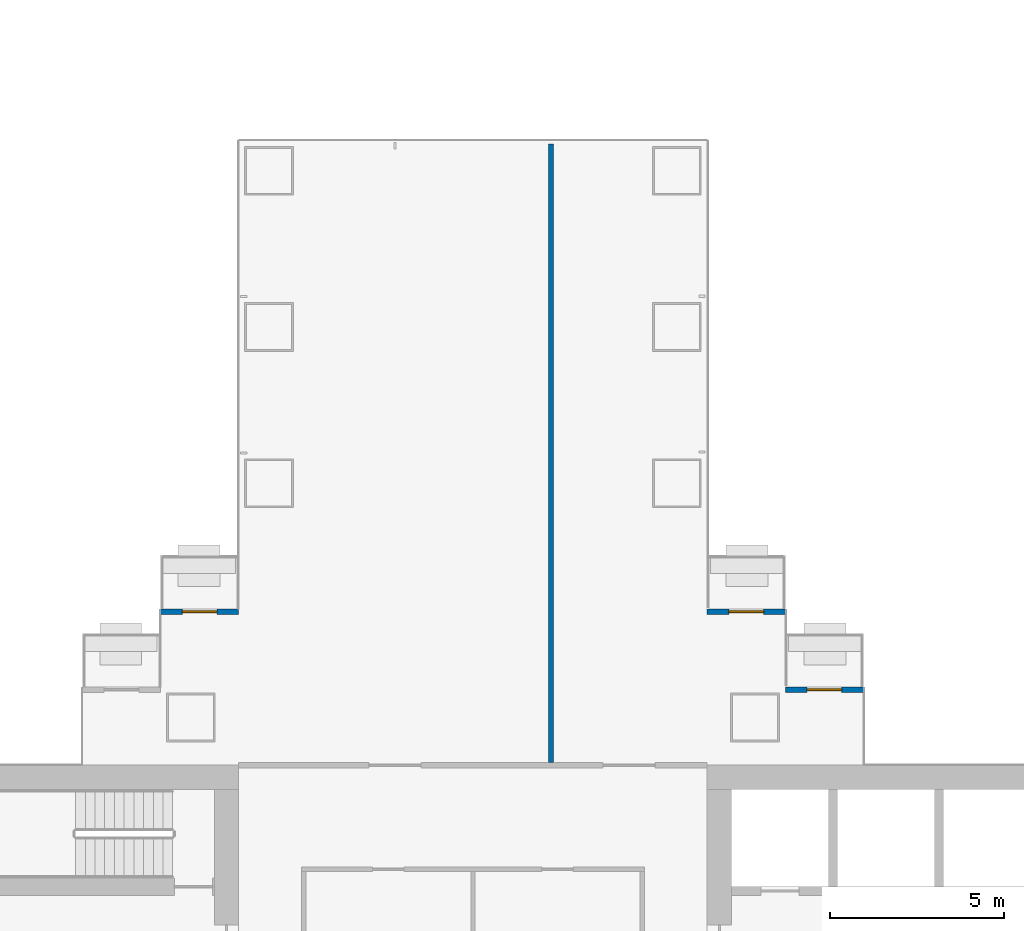
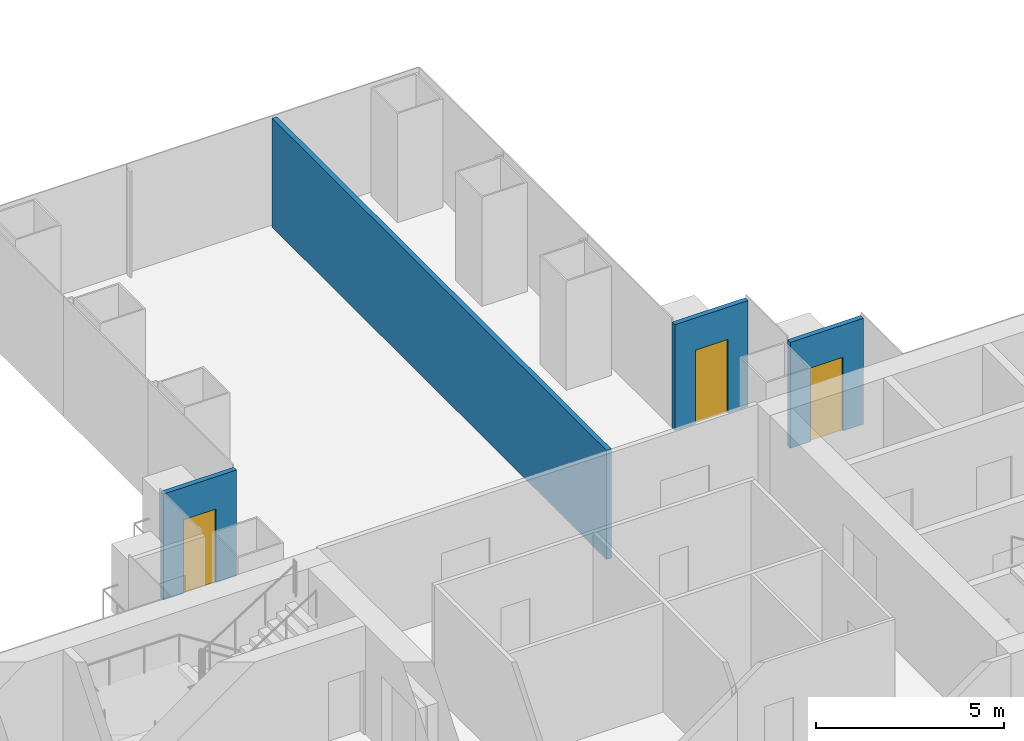
# One storey, part 15 of 21: 4 walls, 3 doors, 3 openings.
"""IFC4 building model written with IfcOpenShell, lengths in metres."""

from ifc_helpers import new_model, si_unit, direction, frame, frame_2d, origin, place, context, subcontext, project, spatial, rectangle, extrude, material, layer, layer_set, type_object, element, fill, save


model = new_model("IFC4")

# Units and contexts
model_context = context("Model", 3, precision=1e-05, world=origin(), true_north=direction((0.0, 1.0)))
body_context = subcontext(model_context, "Body", "Model", "MODEL_VIEW")
ifc_project = project(units=[si_unit("LENGTHUNIT", "METRE"), si_unit("AREAUNIT", "SQUARE_METRE"), si_unit("VOLUMEUNIT", "CUBIC_METRE"), si_unit("PLANEANGLEUNIT", "RADIAN"), si_unit("MASSUNIT", "GRAM", prefix="KILO")], contexts=[model_context])

# Site, building, storey
site_placement = place(None, origin())
site = spatial("IfcSite", under=ifc_project, at=site_placement, CompositionType="ELEMENT")
building_placement = place(site_placement, origin())
building = spatial("IfcBuilding", under=site, at=building_placement, Name="Shamsa Quay Exchange Towers", CompositionType="ELEMENT")
storey_placement = place(building_placement, frame((0.0, 0.0, 45.89990234375)))
storey = spatial("IfcBuildingStorey", under=building, at=storey_placement, Name="L09", CompositionType="ELEMENT", Elevation=45.89990234375)

# Wall, opening, door
ifc_material_1 = material(Name="Aluminium EN AW-6063 T6, black anodised, with black enamelled glass infill", Category="aluminium")
ifc_layer_1 = layer(ifc_material_1, 0.14990234375)
ifc_layer_set_1 = layer_set([ifc_layer_1], Name="BALCONY DOOR BAY WALL 150")
wall_type_1 = type_object("IfcWallType", Name="BALCONY DOOR BAY WALL 150", PredefinedType="SOLIDWALL", material=ifc_layer_set_1)
wall_1_placement = place(storey_placement, frame((-24.75, 8.925048828125, 0.0)))
wall_1 = element("IfcWall", 1, at=wall_1_placement, inside=storey, type_object=wall_type_1, Name="Door bay T1-PKEN L09", PredefinedType="SOLIDWALL", context=body_context, shape_type="SweptSolid", body=[
    extrude(rectangle(XDim=2.25, YDim=0.14990234375, at=frame_2d((1.125, 0.0))), origin(), (0.0, 0.0, 1.0), 3.4501953125),
])
opening_1_placement = place(wall_1_placement, frame((0.625, 0.0, 0.0)))
opening_1 = element("IfcOpeningElement", 2, at=opening_1_placement, cuts=wall_1, Name="Opening XD049", PredefinedType="OPENING", context=body_context, shape_type="SweptSolid", body=[
    extrude(rectangle(XDim=1.0, YDim=2.39990234375, at=frame_2d((0.5, 1.199951171875))), frame((0.0, 0.0849609375, 0.0), z_axis=(0.0, -1.0, 0.0), x_axis=(1.0, 0.0, 0.0)), (0.0, 0.0, 1.0), 0.169921875),
])
ifc_material_2 = material(Name="Aluminium EN AW-6063 T6, black anodised, with laminated glass leaf", Category="aluminium")
door_type = type_object("IfcDoorType", Name="BALCONY DOOR 1000x2400", OperationType="SINGLE_SWING_LEFT", PredefinedType="DOOR", material=ifc_material_2)
door_1_placement = place(opening_1_placement, origin())
door_1 = element("IfcDoor", 3, at=door_1_placement, inside=storey, type_object=door_type, Name="Balcony door T1-PKEN L09", OperationType="SINGLE_SWING_RIGHT", OverallHeight=2.39990234375, OverallWidth=1.0, PredefinedType="DOOR", context=body_context, shape_type="SweptSolid", body=[
    extrude(rectangle(XDim=1.0, YDim=2.39990234375, at=frame_2d((0.5, 1.199951171875))), frame((0.0, 0.02490234375, 0.0), z_axis=(0.0, -1.0, 0.0), x_axis=(1.0, 0.0, 0.0)), (0.0, 0.0, 1.0), 0.050048828125),
])
fill(opening_1, door_1)

wall_2_placement = place(storey_placement, frame((-27.0, 11.175048828125, 0.0)))
wall_2 = element("IfcWall", 4, at=wall_2_placement, inside=storey, type_object=wall_type_1, Name="Door bay T1-PKEN L09", PredefinedType="SOLIDWALL", context=body_context, shape_type="SweptSolid", body=[
    extrude(rectangle(XDim=2.25, YDim=0.14990234375, at=frame_2d((1.125, 0.0))), origin(), (0.0, 0.0, 1.0), 3.4501953125),
])
opening_2_placement = place(wall_2_placement, frame((0.625, 0.0, 0.0)))
opening_2 = element("IfcOpeningElement", 5, at=opening_2_placement, cuts=wall_2, Name="Opening XD050", PredefinedType="OPENING", context=body_context, shape_type="SweptSolid", body=[
    extrude(rectangle(XDim=1.0, YDim=2.39990234375, at=frame_2d((0.5, 1.199951171875))), frame((0.0, 0.0849609375, 0.0), z_axis=(0.0, -1.0, 0.0), x_axis=(1.0, 0.0, 0.0)), (0.0, 0.0, 1.0), 0.169921875),
])
door_2_placement = place(opening_2_placement, origin())
door_2 = element("IfcDoor", 6, at=door_2_placement, inside=storey, type_object=door_type, Name="Balcony door T1-PKEN L09", OperationType="SINGLE_SWING_LEFT", OverallHeight=2.39990234375, OverallWidth=1.0, PredefinedType="DOOR", context=body_context, shape_type="SweptSolid", body=[
    extrude(rectangle(XDim=1.0, YDim=2.39990234375, at=frame_2d((0.5, 1.199951171875))), frame((0.0, 0.02490234375, 0.0), z_axis=(0.0, -1.0, 0.0), x_axis=(1.0, 0.0, 0.0)), (0.0, 0.0, 1.0), 0.050048828125),
])
fill(opening_2, door_2)

wall_3_placement = place(storey_placement, frame((-42.75, 11.175048828125, 0.0)))
wall_3 = element("IfcWall", 7, at=wall_3_placement, inside=storey, type_object=wall_type_1, Name="Door bay T1-PKWN L09", PredefinedType="SOLIDWALL", context=body_context, shape_type="SweptSolid", body=[
    extrude(rectangle(XDim=2.25, YDim=0.14990234375, at=frame_2d((1.125, 0.0))), origin(), (0.0, 0.0, 1.0), 3.4501953125),
])
opening_3_placement = place(wall_3_placement, frame((0.625, 0.0, 0.0)))
opening_3 = element("IfcOpeningElement", 8, at=opening_3_placement, cuts=wall_3, Name="Opening XD053", PredefinedType="OPENING", context=body_context, shape_type="SweptSolid", body=[
    extrude(rectangle(XDim=1.0, YDim=2.39990234375, at=frame_2d((0.5, 1.199951171875))), frame((0.0, 0.0849609375, 0.0), z_axis=(0.0, -1.0, 0.0), x_axis=(1.0, 0.0, 0.0)), (0.0, 0.0, 1.0), 0.169921875),
])
door_3_placement = place(opening_3_placement, origin())
door_3 = element("IfcDoor", 9, at=door_3_placement, inside=storey, type_object=door_type, Name="Balcony door T1-PKWN L09", OperationType="SINGLE_SWING_LEFT", OverallHeight=2.39990234375, OverallWidth=1.0, PredefinedType="DOOR", context=body_context, shape_type="SweptSolid", body=[
    extrude(rectangle(XDim=1.0, YDim=2.39990234375, at=frame_2d((0.5, 1.199951171875))), frame((0.0, 0.02490234375, 0.0), z_axis=(0.0, -1.0, 0.0), x_axis=(1.0, 0.0, 0.0)), (0.0, 0.0, 1.0), 0.050048828125),
])
fill(opening_3, door_3)

# Wall
ifc_material_3 = material(Name="Gypsum board partition on metal studs")
ifc_layer_2 = layer(ifc_material_3, 0.14990234375)
ifc_layer_set_2 = layer_set([ifc_layer_2], Name="Partition 150 mm EI 60")
wall_type_2 = type_object("IfcWallType", Name="Partition 150 mm EI 60", PredefinedType="PARTITIONING", material=ifc_layer_set_2)
wall_4_placement = place(storey_placement, frame((-31.5, 6.824951171875, 0.0), z_axis=(0.0, 0.0, 1.0), x_axis=(0.0, 1.0, 0.0)))
element("IfcWall", 10, at=wall_4_placement, inside=storey, type_object=wall_type_2, Name="Partition T1-R03-W15", PredefinedType="PARTITIONING", context=body_context, shape_type="SweptSolid", body=[
    extrude(rectangle(XDim=17.830078125, YDim=0.14990234375, at=frame_2d((8.9150390625, 0.0))), origin(), (0.0, 0.0, 1.0), 3.550048828125),
])

save(model, "model.ifc")
